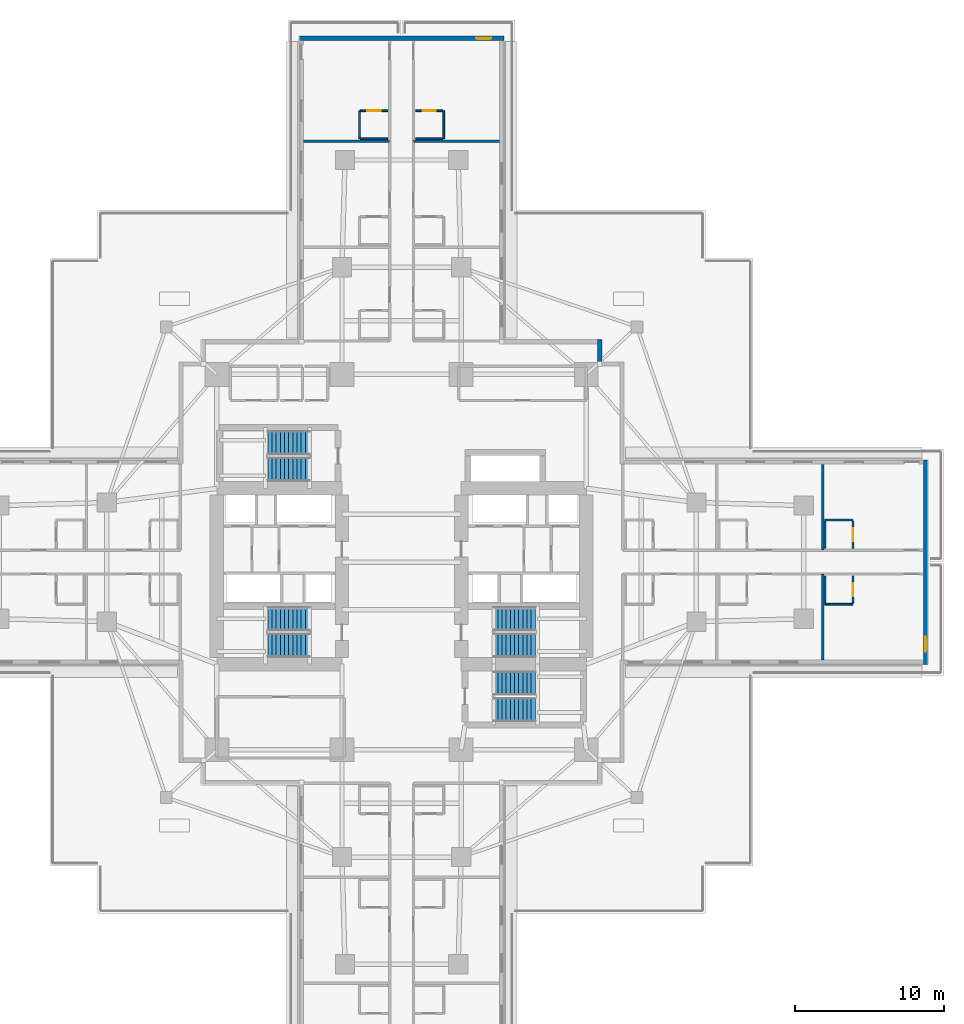
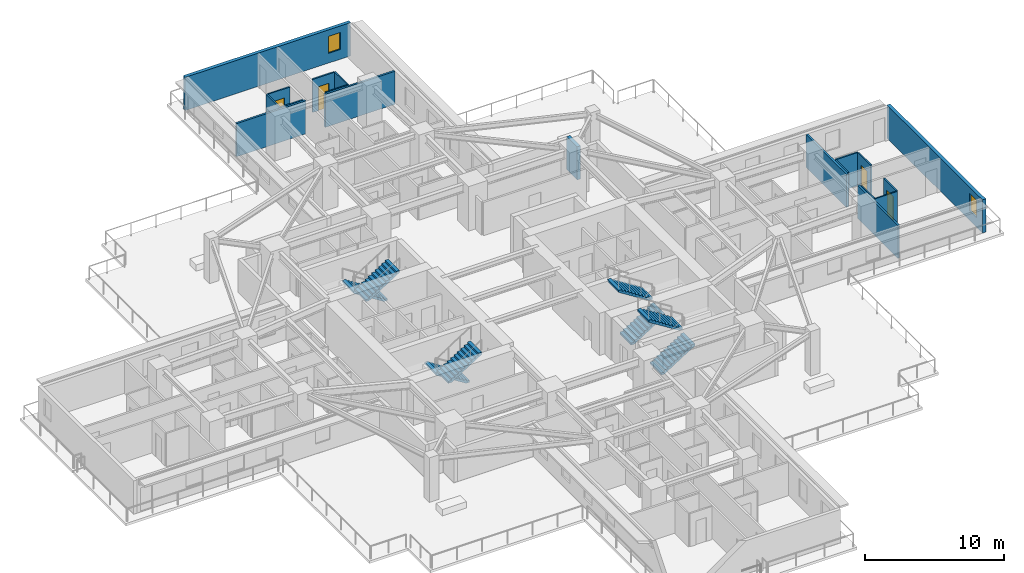
# One storey, part 9 of 15: 19 walls, 8 stair flights, 4 doors, 2 windows, 6 openings, 4 elements without a shape of their own.
"""IFC4 building model written with IfcOpenShell, lengths in metres."""

from ifc_helpers import new_model, si_unit, direction, frame, frame_2d, origin, place, context, subcontext, project, spatial, polyline, rectangle, outline, extrude, material, layer, layer_set, type_object, element, fill, aggregate, save


model = new_model("IFC4")

# Units and contexts
model_context = context("Model", 3, precision=1e-05, world=origin(), true_north=direction((0.0, 1.0)))
body_context = subcontext(model_context, "Body", "Model", "MODEL_VIEW")
ifc_project = project(units=[si_unit("LENGTHUNIT", "METRE"), si_unit("AREAUNIT", "SQUARE_METRE"), si_unit("VOLUMEUNIT", "CUBIC_METRE"), si_unit("PLANEANGLEUNIT", "RADIAN"), si_unit("MASSUNIT", "GRAM", prefix="KILO")], contexts=[model_context])

# Site, building, storey
site_placement = place(None, origin())
site = spatial("IfcSite", under=ifc_project, at=site_placement, CompositionType="ELEMENT")
building_placement = place(site_placement, origin())
building = spatial("IfcBuilding", under=site, at=building_placement, Name="Qingluan Cross Belvedere", CompositionType="ELEMENT")
storey_placement = place(building_placement, frame((0.0, 0.0, 23.699951171875)))
storey = spatial("IfcBuildingStorey", under=building, at=storey_placement, Name="L06", CompositionType="ELEMENT", Elevation=23.699951171875)

# Walls
ifc_material_1 = material(Name="Gypsum plasterboard on steel stud acoustic partition", Category="steel")
ifc_layer_1 = layer(ifc_material_1, 0.159912109375, Name="CorridorPartition_160")
ifc_layer_set_1 = layer_set([ifc_layer_1], Name="Gypsum plasterboard on steel stud acoustic partition")
wall_type_1 = type_object("IfcWallType", Name="CorridorPartition_160", PredefinedType="PARTITIONING", material=ifc_layer_set_1)
for number, where, z_axis, x_axis, name in (
    (1, (28.26806640625, 0.800048828125, 0.0), (0.0, 0.0, 1.0), (0.0, 1.0, 0.0), "Partition L06:E:d0_1"),
    (2, (28.26806640625, -0.800048828125, 0.0), (0.0, 0.0, 1.0), (0.0, -1.0, 0.0), "Partition L06:E:d1_1"),
    (3, (0.800048828125, 28.26806640625, 0.0), (0.0, 0.0, 1.0), (1.0, 0.0, 0.0), "Partition L06:N:d0_1"),
    (4, (-0.800048828125, 28.26806640625, 0.0), (0.0, 0.0, 1.0), (-1.0, 0.0, 0.0), "Partition L06:N:d1_1"),
):
    element("IfcWall", number, at=place(storey_placement, frame(where, z_axis=z_axis, x_axis=x_axis)), inside=storey, type_object=wall_type_1, Name=name, PredefinedType="PARTITIONING", context=body_context, shape_type="SweptSolid", body=[
        extrude(rectangle(XDim=5.77197265625, YDim=0.159912109375, at=frame_2d((2.885986328125, 0.0))), origin(), (0.0, 0.0, 1.0), 2.900146484375),
    ])

# Wall, opening, door
ifc_material_2 = material(Name="Moisture-resistant gypsum board lining")
ifc_layer_2 = layer(ifc_material_2, 0.1201171875, Name="EnsuiteWetPartition_120")
ifc_layer_set_2 = layer_set([ifc_layer_2], Name="Moisture-resistant gypsum board lining")
wall_type_2 = type_object("IfcWallType", Name="EnsuiteWetPartition_120", PredefinedType="PARTITIONING", material=ifc_layer_set_2)
wall_1_placement = place(storey_placement, frame((30.30810546875, 0.93994140625, 0.0), z_axis=(0.0, 0.0, 1.0), x_axis=(0.0, 1.0, 0.0)))
wall_1 = element("IfcWall", 5, at=wall_1_placement, inside=storey, type_object=wall_type_2, Name="Partition L06:E:bs0_2", PredefinedType="PARTITIONING", context=body_context, shape_type="SweptSolid", body=[
    extrude(rectangle(XDim=1.820068359375, YDim=0.1201171875, at=frame_2d((0.91015625, 0.0))), origin(), (0.0, 0.0, 1.0), 2.900146484375),
])
opening_1_placement = place(wall_1_placement, frame((0.469970703125, 0.0, 0.0)))
opening_1 = element("IfcOpeningElement", 6, at=opening_1_placement, cuts=wall_1, Name="Opening BD-09", PredefinedType="OPENING", context=body_context, shape_type="SweptSolid", body=[
    extrude(rectangle(XDim=0.8798828125, YDim=2.10009765625, at=frame_2d((0.43994140625, 1.050048828125))), frame((0.0, 0.070068359375, 0.0), z_axis=(0.0, -1.0, 0.0), x_axis=(1.0, 0.0, 0.0)), (0.0, 0.0, 1.0), 0.14013671875),
])
ifc_material_3 = material(Name="Moisture-sealed timber en-suite door", Category="wood")
door_type = type_object("IfcDoorType", Name="BathroomDoor_880", OperationType="NOTDEFINED", PredefinedType="DOOR", material=ifc_material_3)
door_1_placement = place(opening_1_placement, origin())
door_1 = element("IfcDoor", 7, at=door_1_placement, inside=storey, type_object=door_type, Name="Bathroom door 0603", OperationType="SINGLE_SWING_RIGHT", OverallHeight=2.10009765625, OverallWidth=0.8798828125, PredefinedType="DOOR", context=body_context, shape_type="SweptSolid", body=[
    extrude(rectangle(XDim=0.8798828125, YDim=2.10009765625, at=frame_2d((0.43994140625, 1.050048828125))), frame((0.0, 0.02490234375, 0.0), z_axis=(0.0, -1.0, 0.0), x_axis=(1.0, 0.0, 0.0)), (0.0, 0.0, 1.0), 0.050048828125),
])
fill(opening_1, door_1)

# Walls
wall_2_placement = place(storey_placement, frame((28.427978515625, 0.93994140625, 0.0), z_axis=(0.0, 0.0, 1.0), x_axis=(0.0, 1.0, 0.0)))
element("IfcWall", 8, at=wall_2_placement, inside=storey, type_object=wall_type_2, Name="Partition L06:E:bw0_2", PredefinedType="PARTITIONING", context=body_context, shape_type="SweptSolid", body=[
    extrude(rectangle(XDim=1.820068359375, YDim=0.1201171875, at=frame_2d((0.91015625, 0.0))), origin(), (0.0, 0.0, 1.0), 2.900146484375),
])
wall_3_placement = place(storey_placement, frame((28.427978515625, 2.824951171875, 0.0), z_axis=(0.0, 0.0, 1.0), x_axis=(1.0, 0.0, 0.0)))
element("IfcWall", 9, at=wall_3_placement, inside=storey, type_object=wall_type_2, Name="Partition L06:E:bn0_2", PredefinedType="PARTITIONING", context=body_context, shape_type="SweptSolid", body=[
    extrude(rectangle(XDim=1.880126953125, YDim=0.1201171875, at=frame_2d((0.93994140625, 0.0))), origin(), (0.0, 0.0, 1.0), 2.900146484375),
])

# Wall, opening, door
wall_4_placement = place(storey_placement, frame((30.30810546875, -2.760009765625, 0.0), z_axis=(0.0, 0.0, 1.0), x_axis=(0.0, 1.0, 0.0)))
wall_4 = element("IfcWall", 10, at=wall_4_placement, inside=storey, type_object=wall_type_2, Name="Partition L06:E:bs1_2", PredefinedType="PARTITIONING", context=body_context, shape_type="SweptSolid", body=[
    extrude(rectangle(XDim=1.820068359375, YDim=0.1201171875, at=frame_2d((0.91015625, 0.0))), origin(), (0.0, 0.0, 1.0), 2.900146484375),
])
opening_2_placement = place(wall_4_placement, frame((0.469970703125, 0.0, 0.0)))
opening_2 = element("IfcOpeningElement", 11, at=opening_2_placement, cuts=wall_4, Name="Opening BD-09", PredefinedType="OPENING", context=body_context, shape_type="SweptSolid", body=[
    extrude(rectangle(XDim=0.8798828125, YDim=2.10009765625, at=frame_2d((0.43994140625, 1.050048828125))), frame((0.0, 0.070068359375, 0.0), z_axis=(0.0, -1.0, 0.0), x_axis=(1.0, 0.0, 0.0)), (0.0, 0.0, 1.0), 0.14013671875),
])
door_2_placement = place(opening_2_placement, origin())
door_2 = element("IfcDoor", 12, at=door_2_placement, inside=storey, type_object=door_type, Name="Bathroom door 0606", OperationType="SINGLE_SWING_RIGHT", OverallHeight=2.10009765625, OverallWidth=0.8798828125, PredefinedType="DOOR", context=body_context, shape_type="SweptSolid", body=[
    extrude(rectangle(XDim=0.8798828125, YDim=2.10009765625, at=frame_2d((0.43994140625, 1.050048828125))), frame((0.0, 0.02490234375, 0.0), z_axis=(0.0, -1.0, 0.0), x_axis=(1.0, 0.0, 0.0)), (0.0, 0.0, 1.0), 0.050048828125),
])
fill(opening_2, door_2)

# Walls
wall_5_placement = place(storey_placement, frame((28.427978515625, -2.760009765625, 0.0), z_axis=(0.0, 0.0, 1.0), x_axis=(0.0, 1.0, 0.0)))
element("IfcWall", 13, at=wall_5_placement, inside=storey, type_object=wall_type_2, Name="Partition L06:E:bw1_2", PredefinedType="PARTITIONING", context=body_context, shape_type="SweptSolid", body=[
    extrude(rectangle(XDim=1.820068359375, YDim=0.1201171875, at=frame_2d((0.91015625, 0.0))), origin(), (0.0, 0.0, 1.0), 2.900146484375),
])
wall_6_placement = place(storey_placement, frame((28.427978515625, -2.824951171875, 0.0), z_axis=(0.0, 0.0, 1.0), x_axis=(1.0, 0.0, 0.0)))
element("IfcWall", 14, at=wall_6_placement, inside=storey, type_object=wall_type_2, Name="Partition L06:E:bc1_2", PredefinedType="PARTITIONING", context=body_context, shape_type="SweptSolid", body=[
    extrude(rectangle(XDim=1.880126953125, YDim=0.1201171875, at=frame_2d((0.93994140625, 0.0))), origin(), (0.0, 0.0, 1.0), 2.900146484375),
])

# Wall, opening, door
wall_7_placement = place(storey_placement, frame((0.93994140625, 30.30810546875, 0.0), z_axis=(0.0, 0.0, 1.0), x_axis=(1.0, 0.0, 0.0)))
wall_7 = element("IfcWall", 15, at=wall_7_placement, inside=storey, type_object=wall_type_2, Name="Partition L06:N:bs0_2", PredefinedType="PARTITIONING", context=body_context, shape_type="SweptSolid", body=[
    extrude(rectangle(XDim=1.820068359375, YDim=0.1201171875, at=frame_2d((0.91015625, 0.0))), origin(), (0.0, 0.0, 1.0), 2.900146484375),
])
opening_3_placement = place(wall_7_placement, frame((0.469970703125, 0.0, 0.0)))
opening_3 = element("IfcOpeningElement", 16, at=opening_3_placement, cuts=wall_7, Name="Opening BD-09", PredefinedType="OPENING", context=body_context, shape_type="SweptSolid", body=[
    extrude(rectangle(XDim=0.8798828125, YDim=2.10009765625, at=frame_2d((0.43994140625, 1.050048828125))), frame((0.0, 0.070068359375, 0.0), z_axis=(0.0, -1.0, 0.0), x_axis=(1.0, 0.0, 0.0)), (0.0, 0.0, 1.0), 0.14013671875),
])
door_3_placement = place(opening_3_placement, origin())
door_3 = element("IfcDoor", 17, at=door_3_placement, inside=storey, type_object=door_type, Name="Bathroom door 0615", OperationType="SINGLE_SWING_RIGHT", OverallHeight=2.10009765625, OverallWidth=0.8798828125, PredefinedType="DOOR", context=body_context, shape_type="SweptSolid", body=[
    extrude(rectangle(XDim=0.8798828125, YDim=2.10009765625, at=frame_2d((0.43994140625, 1.050048828125))), frame((0.0, 0.02490234375, 0.0), z_axis=(0.0, -1.0, 0.0), x_axis=(1.0, 0.0, 0.0)), (0.0, 0.0, 1.0), 0.050048828125),
])
fill(opening_3, door_3)

# Walls
wall_8_placement = place(storey_placement, frame((0.93994140625, 28.427978515625, 0.0), z_axis=(0.0, 0.0, 1.0), x_axis=(1.0, 0.0, 0.0)))
element("IfcWall", 18, at=wall_8_placement, inside=storey, type_object=wall_type_2, Name="Partition L06:N:bw0_2", PredefinedType="PARTITIONING", context=body_context, shape_type="SweptSolid", body=[
    extrude(rectangle(XDim=1.820068359375, YDim=0.1201171875, at=frame_2d((0.91015625, 0.0))), origin(), (0.0, 0.0, 1.0), 2.900146484375),
])
wall_9_placement = place(storey_placement, frame((2.824951171875, 28.427978515625, 0.0), z_axis=(0.0, 0.0, 1.0), x_axis=(0.0, 1.0, 0.0)))
element("IfcWall", 19, at=wall_9_placement, inside=storey, type_object=wall_type_2, Name="Partition L06:N:bn0_2", PredefinedType="PARTITIONING", context=body_context, shape_type="SweptSolid", body=[
    extrude(rectangle(XDim=1.880126953125, YDim=0.1201171875, at=frame_2d((0.93994140625, 0.0))), origin(), (0.0, 0.0, 1.0), 2.900146484375),
])

# Wall, opening, door
wall_10_placement = place(storey_placement, frame((-2.760009765625, 30.30810546875, 0.0), z_axis=(0.0, 0.0, 1.0), x_axis=(1.0, 0.0, 0.0)))
wall_10 = element("IfcWall", 20, at=wall_10_placement, inside=storey, type_object=wall_type_2, Name="Partition L06:N:bs1_2", PredefinedType="PARTITIONING", context=body_context, shape_type="SweptSolid", body=[
    extrude(rectangle(XDim=1.820068359375, YDim=0.1201171875, at=frame_2d((0.91015625, 0.0))), origin(), (0.0, 0.0, 1.0), 2.900146484375),
])
opening_4_placement = place(wall_10_placement, frame((0.469970703125, 0.0, 0.0)))
opening_4 = element("IfcOpeningElement", 21, at=opening_4_placement, cuts=wall_10, Name="Opening BD-09", PredefinedType="OPENING", context=body_context, shape_type="SweptSolid", body=[
    extrude(rectangle(XDim=0.8798828125, YDim=2.10009765625, at=frame_2d((0.43994140625, 1.050048828125))), frame((0.0, 0.070068359375, 0.0), z_axis=(0.0, -1.0, 0.0), x_axis=(1.0, 0.0, 0.0)), (0.0, 0.0, 1.0), 0.14013671875),
])
door_4_placement = place(opening_4_placement, origin())
door_4 = element("IfcDoor", 22, at=door_4_placement, inside=storey, type_object=door_type, Name="Bathroom door 0618", OperationType="SINGLE_SWING_RIGHT", OverallHeight=2.10009765625, OverallWidth=0.8798828125, PredefinedType="DOOR", context=body_context, shape_type="SweptSolid", body=[
    extrude(rectangle(XDim=0.8798828125, YDim=2.10009765625, at=frame_2d((0.43994140625, 1.050048828125))), frame((0.0, 0.02490234375, 0.0), z_axis=(0.0, -1.0, 0.0), x_axis=(1.0, 0.0, 0.0)), (0.0, 0.0, 1.0), 0.050048828125),
])
fill(opening_4, door_4)

# Walls
wall_11_placement = place(storey_placement, frame((-2.760009765625, 28.427978515625, 0.0), z_axis=(0.0, 0.0, 1.0), x_axis=(1.0, 0.0, 0.0)))
element("IfcWall", 23, at=wall_11_placement, inside=storey, type_object=wall_type_2, Name="Partition L06:N:bw1_2", PredefinedType="PARTITIONING", context=body_context, shape_type="SweptSolid", body=[
    extrude(rectangle(XDim=1.820068359375, YDim=0.1201171875, at=frame_2d((0.91015625, 0.0))), origin(), (0.0, 0.0, 1.0), 2.900146484375),
])
wall_12_placement = place(storey_placement, frame((-2.824951171875, 28.427978515625, 0.0), z_axis=(0.0, 0.0, 1.0), x_axis=(0.0, 1.0, 0.0)))
element("IfcWall", 24, at=wall_12_placement, inside=storey, type_object=wall_type_2, Name="Partition L06:N:bc1_2", PredefinedType="PARTITIONING", context=body_context, shape_type="SweptSolid", body=[
    extrude(rectangle(XDim=1.880126953125, YDim=0.1201171875, at=frame_2d((0.93994140625, 0.0))), origin(), (0.0, 0.0, 1.0), 2.900146484375),
])

# Wall, opening, window
ifc_material_4 = material(Name="Precast concrete C45", Category="concrete")
ifc_layer_3 = layer(ifc_material_4, 0.280029296875, Name="PrecastFacadeWall_280")
ifc_layer_set_3 = layer_set([ifc_layer_3], Name="Precast concrete C45")
wall_type_3 = type_object("IfcWallType", Name="PrecastFacadeWall_280", PredefinedType="STANDARD", material=ifc_layer_set_3)
wall_13_placement = place(storey_placement, frame((35.179931640625, -6.860107421875, 0.0), z_axis=(0.0, 0.0, 1.0), x_axis=(0.0, 1.0, 0.0)))
wall_13 = element("IfcWall", 25, at=wall_13_placement, inside=storey, type_object=wall_type_3, Name="Arm tip precast facade wall L06-E", PredefinedType="STANDARD", context=body_context, shape_type="SweptSolid", body=[
    extrude(rectangle(XDim=13.72021484375, YDim=0.280029296875, at=frame_2d((6.860107421875, 0.0))), origin(), (0.0, 0.0, 1.0), 2.91015625),
])
opening_5_placement = place(wall_13_placement, frame((0.85009765625, 0.0, 0.85009765625)))
opening_5 = element("IfcOpeningElement", 26, at=opening_5_placement, cuts=wall_13, Name="Opening W-03", PredefinedType="OPENING", context=body_context, shape_type="SweptSolid", body=[
    extrude(rectangle(XDim=1.0, YDim=1.5, at=frame_2d((0.5, 0.75))), frame((0.0, 0.14990234375, 0.0), z_axis=(0.0, -1.0, 0.0), x_axis=(1.0, 0.0, 0.0)), (0.0, 0.0, 1.0), 0.300048828125),
])
ifc_material_5 = material(Name="Thermally broken triple Low-E glass in aluminium frame", Category="aluminium")
window_type = type_object("IfcWindowType", Name="TriApexWin_1000x1500", PartitioningType="SINGLE_PANEL", PredefinedType="WINDOW", material=ifc_material_5)
window_1_placement = place(opening_5_placement, origin())
window_1 = element("IfcWindow", 27, at=window_1_placement, inside=storey, type_object=window_type, Name="Arm tip triangular window L06-E", OverallHeight=1.5, OverallWidth=1.0, PartitioningType="SINGLE_PANEL", PredefinedType="WINDOW", context=body_context, shape_type="SweptSolid", body=[
    extrude(rectangle(XDim=1.0, YDim=1.5, at=frame_2d((0.5, 0.75))), frame((0.0, 0.030029296875, 0.0), z_axis=(0.0, -1.0, 0.0), x_axis=(1.0, 0.0, 0.0)), (0.0, 0.0, 1.0), 0.06005859375),
])
fill(opening_5, window_1)

wall_14_placement = place(storey_placement, frame((6.860107421875, 35.179931640625, 0.0), z_axis=(0.0, 0.0, 1.0), x_axis=(-1.0, 0.0, 0.0)))
wall_14 = element("IfcWall", 28, at=wall_14_placement, inside=storey, type_object=wall_type_3, Name="Arm tip precast facade wall L06-N", PredefinedType="STANDARD", context=body_context, shape_type="SweptSolid", body=[
    extrude(rectangle(XDim=13.72021484375, YDim=0.280029296875, at=frame_2d((6.860107421875, 0.0))), origin(), (0.0, 0.0, 1.0), 2.91015625),
])
opening_6_placement = place(wall_14_placement, frame((0.85009765625, 0.0, 0.85009765625)))
opening_6 = element("IfcOpeningElement", 29, at=opening_6_placement, cuts=wall_14, Name="Opening W-03", PredefinedType="OPENING", context=body_context, shape_type="SweptSolid", body=[
    extrude(rectangle(XDim=1.0, YDim=1.5, at=frame_2d((0.5, 0.75))), frame((0.0, 0.14990234375, 0.0), z_axis=(0.0, -1.0, 0.0), x_axis=(1.0, 0.0, 0.0)), (0.0, 0.0, 1.0), 0.300048828125),
])
window_2_placement = place(opening_6_placement, origin())
window_2 = element("IfcWindow", 30, at=window_2_placement, inside=storey, type_object=window_type, Name="Arm tip triangular window L06-N", OverallHeight=1.5, OverallWidth=1.0, PartitioningType="SINGLE_PANEL", PredefinedType="WINDOW", context=body_context, shape_type="SweptSolid", body=[
    extrude(rectangle(XDim=1.0, YDim=1.5, at=frame_2d((0.5, 0.75))), frame((0.0, 0.030029296875, 0.0), z_axis=(0.0, -1.0, 0.0), x_axis=(1.0, 0.0, 0.0)), (0.0, 0.0, 1.0), 0.06005859375),
])
fill(opening_6, window_2)

# Wall
wall_15_placement = place(storey_placement, frame((13.300048828125, 13.43994140625, 0.0), z_axis=(0.0, 0.0, 1.0), x_axis=(0.0, 1.0, 0.0)))
element("IfcWall", 31, at=wall_15_placement, inside=storey, type_object=wall_type_3, Name="Corner wall L06-NE3", PredefinedType="STANDARD", context=body_context, shape_type="SweptSolid", body=[
    extrude(rectangle(XDim=1.5, YDim=0.280029296875, at=frame_2d((0.75, 0.0))), origin(), (0.0, 0.0, 1.0), 2.91015625),
])

# Stair, stair flights
ifc_material_6 = material(Name="Concrete C40", Category="concrete")
stair_type = type_object("IfcStairType", Name="CoreDoglegStair_1620", PredefinedType="HALF_TURN_STAIR", material=ifc_material_6)
stair_1_placement = place(storey_placement, origin())
stair_1 = element("IfcStair", 32, at=stair_1_placement, inside=storey, type_object=stair_type, Name="L06 ST1", PredefinedType="HALF_TURN_STAIR")
ifc_material_7 = material(Name="Concrete C40", Category="concrete")
ifc_layer_4 = layer(ifc_material_7, 0.179931640625, Name="StairFlight_RC180")
ifc_layer_set_4 = layer_set([ifc_layer_4], Name="Concrete C40")
stair_flight_type = type_object("IfcStairFlightType", Name="StairFlight_RC180", PredefinedType="STRAIGHT", material=ifc_layer_set_4)
stair_flight_1_placement = place(storey_placement, frame((-6.179931640625, -3.81005859375, 0.0), z_axis=(0.0, 0.0, 1.0), x_axis=(-1.0, 0.0, 0.0)))
stair_flight_1 = element("IfcStairFlight", 33, at=stair_flight_1_placement, type_object=stair_flight_type, Name="ST1 flight 1", NumberOfRisers=11, NumberOfTreads=10, PredefinedType="STRAIGHT", RiserHeight=0.177272727, TreadLength=0.28, context=body_context, shape_type="SweptSolid", body=[
    extrude(outline(polyline([(0.0, 0.0), (0.0, 0.17724609375), (0.280029296875, 0.17724609375), (0.280029296875, 0.3544921875), (0.56005859375, 0.3544921875), (0.56005859375, 0.53173828125), (0.840087890625, 0.53173828125), (0.840087890625, 0.708984375), (1.1201171875, 0.708984375), (1.1201171875, 0.886474609375), (1.39990234375, 0.886474609375), (1.39990234375, 1.063720703125), (1.679931640625, 1.063720703125), (1.679931640625, 1.240966796875), (1.9599609375, 1.240966796875), (1.9599609375, 1.418212890625), (2.239990234375, 1.418212890625), (2.239990234375, 1.595458984375), (2.52001953125, 1.595458984375), (2.52001953125, 1.772705078125), (2.800048828125, 1.772705078125), (2.800048828125, 1.949951171875), (2.800048828125, 1.59521484375), (0.2802734375, 0.0), (0.0, 0.0)])), frame((0.0, 0.81005859375, 0.0), z_axis=(0.0, -1.0, 0.0), x_axis=(1.0, 0.0, 0.0)), (0.0, 0.0, 1.0), 1.6201171875),
])
stair_flight_2_placement = place(storey_placement, frame((-8.97998046875, -5.590087890625, 1.949951171875), z_axis=(0.0, 0.0, 1.0), x_axis=(1.0, 0.0, 0.0)))
stair_flight_2 = element("IfcStairFlight", 34, at=stair_flight_2_placement, type_object=stair_flight_type, Name="ST1 flight 2", NumberOfRisers=11, NumberOfTreads=10, PredefinedType="STRAIGHT", RiserHeight=0.177272727, TreadLength=0.28, context=body_context, shape_type="SweptSolid", body=[
    extrude(outline(polyline([(0.0, 0.0), (0.0, 0.17724609375), (0.280029296875, 0.17724609375), (0.280029296875, 0.3544921875), (0.56005859375, 0.3544921875), (0.56005859375, 0.53173828125), (0.840087890625, 0.53173828125), (0.840087890625, 0.708984375), (1.1201171875, 0.708984375), (1.1201171875, 0.886474609375), (1.39990234375, 0.886474609375), (1.39990234375, 1.063720703125), (1.679931640625, 1.063720703125), (1.679931640625, 1.240966796875), (1.9599609375, 1.240966796875), (1.9599609375, 1.418212890625), (2.239990234375, 1.418212890625), (2.239990234375, 1.595458984375), (2.52001953125, 1.595458984375), (2.52001953125, 1.772705078125), (2.800048828125, 1.772705078125), (2.800048828125, 1.949951171875), (2.800048828125, 1.59521484375), (0.2802734375, 0.0), (0.0, 0.0)])), frame((0.0, 0.81005859375, 0.0), z_axis=(0.0, -1.0, 0.0), x_axis=(1.0, 0.0, 0.0)), (0.0, 0.0, 1.0), 1.6201171875),
])
aggregate(stair_1, [stair_flight_1, stair_flight_2])

stair_2_placement = place(storey_placement, origin())
stair_2 = element("IfcStair", 35, at=stair_2_placement, inside=storey, type_object=stair_type, Name="L06 ST2", PredefinedType="HALF_TURN_STAIR")
stair_flight_3_placement = place(storey_placement, frame((6.179931640625, -5.590087890625, 0.0), z_axis=(0.0, 0.0, 1.0), x_axis=(1.0, 0.0, 0.0)))
stair_flight_3 = element("IfcStairFlight", 36, at=stair_flight_3_placement, type_object=stair_flight_type, Name="ST2 flight 1", NumberOfRisers=11, NumberOfTreads=10, PredefinedType="STRAIGHT", RiserHeight=0.177272727, TreadLength=0.28, context=body_context, shape_type="SweptSolid", body=[
    extrude(outline(polyline([(0.0, 0.0), (0.0, 0.17724609375), (0.280029296875, 0.17724609375), (0.280029296875, 0.3544921875), (0.56005859375, 0.3544921875), (0.56005859375, 0.53173828125), (0.840087890625, 0.53173828125), (0.840087890625, 0.708984375), (1.1201171875, 0.708984375), (1.1201171875, 0.886474609375), (1.39990234375, 0.886474609375), (1.39990234375, 1.063720703125), (1.679931640625, 1.063720703125), (1.679931640625, 1.240966796875), (1.9599609375, 1.240966796875), (1.9599609375, 1.418212890625), (2.239990234375, 1.418212890625), (2.239990234375, 1.595458984375), (2.52001953125, 1.595458984375), (2.52001953125, 1.772705078125), (2.800048828125, 1.772705078125), (2.800048828125, 1.949951171875), (2.800048828125, 1.59521484375), (0.2802734375, 0.0), (0.0, 0.0)])), frame((0.0, 0.81005859375, 0.0), z_axis=(0.0, -1.0, 0.0), x_axis=(1.0, 0.0, 0.0)), (0.0, 0.0, 1.0), 1.6201171875),
])
stair_flight_4_placement = place(storey_placement, frame((8.97998046875, -3.81005859375, 1.949951171875), z_axis=(0.0, 0.0, 1.0), x_axis=(-1.0, 0.0, 0.0)))
stair_flight_4 = element("IfcStairFlight", 37, at=stair_flight_4_placement, type_object=stair_flight_type, Name="ST2 flight 2", NumberOfRisers=11, NumberOfTreads=10, PredefinedType="STRAIGHT", RiserHeight=0.177272727, TreadLength=0.28, context=body_context, shape_type="SweptSolid", body=[
    extrude(outline(polyline([(0.0, 0.0), (0.0, 0.17724609375), (0.280029296875, 0.17724609375), (0.280029296875, 0.3544921875), (0.56005859375, 0.3544921875), (0.56005859375, 0.53173828125), (0.840087890625, 0.53173828125), (0.840087890625, 0.708984375), (1.1201171875, 0.708984375), (1.1201171875, 0.886474609375), (1.39990234375, 0.886474609375), (1.39990234375, 1.063720703125), (1.679931640625, 1.063720703125), (1.679931640625, 1.240966796875), (1.9599609375, 1.240966796875), (1.9599609375, 1.418212890625), (2.239990234375, 1.418212890625), (2.239990234375, 1.595458984375), (2.52001953125, 1.595458984375), (2.52001953125, 1.772705078125), (2.800048828125, 1.772705078125), (2.800048828125, 1.949951171875), (2.800048828125, 1.59521484375), (0.2802734375, 0.0), (0.0, 0.0)])), frame((0.0, 0.81005859375, 0.0), z_axis=(0.0, -1.0, 0.0), x_axis=(1.0, 0.0, 0.0)), (0.0, 0.0, 1.0), 1.6201171875),
])
aggregate(stair_2, [stair_flight_3, stair_flight_4])

stair_3_placement = place(storey_placement, origin())
stair_3 = element("IfcStair", 38, at=stair_3_placement, inside=storey, type_object=stair_type, Name="L06 ST3", PredefinedType="HALF_TURN_STAIR")
stair_flight_5_placement = place(storey_placement, frame((-6.179931640625, 8.010009765625, 0.0), z_axis=(0.0, 0.0, 1.0), x_axis=(-1.0, 0.0, 0.0)))
stair_flight_5 = element("IfcStairFlight", 39, at=stair_flight_5_placement, type_object=stair_flight_type, Name="ST3 flight 1", NumberOfRisers=11, NumberOfTreads=10, PredefinedType="STRAIGHT", RiserHeight=0.177272727, TreadLength=0.28, context=body_context, shape_type="SweptSolid", body=[
    extrude(outline(polyline([(0.0, 0.0), (0.0, 0.17724609375), (0.280029296875, 0.17724609375), (0.280029296875, 0.3544921875), (0.56005859375, 0.3544921875), (0.56005859375, 0.53173828125), (0.840087890625, 0.53173828125), (0.840087890625, 0.708984375), (1.1201171875, 0.708984375), (1.1201171875, 0.886474609375), (1.39990234375, 0.886474609375), (1.39990234375, 1.063720703125), (1.679931640625, 1.063720703125), (1.679931640625, 1.240966796875), (1.9599609375, 1.240966796875), (1.9599609375, 1.418212890625), (2.239990234375, 1.418212890625), (2.239990234375, 1.595458984375), (2.52001953125, 1.595458984375), (2.52001953125, 1.772705078125), (2.800048828125, 1.772705078125), (2.800048828125, 1.949951171875), (2.800048828125, 1.59521484375), (0.2802734375, 0.0), (0.0, 0.0)])), frame((0.0, 0.81005859375, 0.0), z_axis=(0.0, -1.0, 0.0), x_axis=(1.0, 0.0, 0.0)), (0.0, 0.0, 1.0), 1.6201171875),
])
stair_flight_6_placement = place(storey_placement, frame((-8.97998046875, 6.22998046875, 1.949951171875), z_axis=(0.0, 0.0, 1.0), x_axis=(1.0, 0.0, 0.0)))
stair_flight_6 = element("IfcStairFlight", 40, at=stair_flight_6_placement, type_object=stair_flight_type, Name="ST3 flight 2", NumberOfRisers=11, NumberOfTreads=10, PredefinedType="STRAIGHT", RiserHeight=0.177272727, TreadLength=0.28, context=body_context, shape_type="SweptSolid", body=[
    extrude(outline(polyline([(0.0, 0.0), (0.0, 0.17724609375), (0.280029296875, 0.17724609375), (0.280029296875, 0.3544921875), (0.56005859375, 0.3544921875), (0.56005859375, 0.53173828125), (0.840087890625, 0.53173828125), (0.840087890625, 0.708984375), (1.1201171875, 0.708984375), (1.1201171875, 0.886474609375), (1.39990234375, 0.886474609375), (1.39990234375, 1.063720703125), (1.679931640625, 1.063720703125), (1.679931640625, 1.240966796875), (1.9599609375, 1.240966796875), (1.9599609375, 1.418212890625), (2.239990234375, 1.418212890625), (2.239990234375, 1.595458984375), (2.52001953125, 1.595458984375), (2.52001953125, 1.772705078125), (2.800048828125, 1.772705078125), (2.800048828125, 1.949951171875), (2.800048828125, 1.59521484375), (0.2802734375, 0.0), (0.0, 0.0)])), frame((0.0, 0.81005859375, 0.0), z_axis=(0.0, -1.0, 0.0), x_axis=(1.0, 0.0, 0.0)), (0.0, 0.0, 1.0), 1.6201171875),
])
aggregate(stair_3, [stair_flight_5, stair_flight_6])

stair_4_placement = place(storey_placement, origin())
stair_4 = element("IfcStair", 41, at=stair_4_placement, inside=storey, type_object=stair_type, Name="L06 ST4", PredefinedType="HALF_TURN_STAIR")
stair_flight_7_placement = place(storey_placement, frame((6.179931640625, -9.909912109375, 0.0), z_axis=(0.0, 0.0, 1.0), x_axis=(1.0, 0.0, 0.0)))
stair_flight_7 = element("IfcStairFlight", 42, at=stair_flight_7_placement, type_object=stair_flight_type, Name="ST4 flight 1", NumberOfRisers=11, NumberOfTreads=10, PredefinedType="STRAIGHT", RiserHeight=0.177272727, TreadLength=0.28, context=body_context, shape_type="SweptSolid", body=[
    extrude(outline(polyline([(0.0, 0.0), (0.0, 0.17724609375), (0.280029296875, 0.17724609375), (0.280029296875, 0.3544921875), (0.56005859375, 0.3544921875), (0.56005859375, 0.53173828125), (0.840087890625, 0.53173828125), (0.840087890625, 0.708984375), (1.1201171875, 0.708984375), (1.1201171875, 0.886474609375), (1.39990234375, 0.886474609375), (1.39990234375, 1.063720703125), (1.679931640625, 1.063720703125), (1.679931640625, 1.240966796875), (1.9599609375, 1.240966796875), (1.9599609375, 1.418212890625), (2.239990234375, 1.418212890625), (2.239990234375, 1.595458984375), (2.52001953125, 1.595458984375), (2.52001953125, 1.772705078125), (2.800048828125, 1.772705078125), (2.800048828125, 1.949951171875), (2.800048828125, 1.59521484375), (0.2802734375, 0.0), (0.0, 0.0)])), frame((0.0, 0.81005859375, 0.0), z_axis=(0.0, -1.0, 0.0), x_axis=(1.0, 0.0, 0.0)), (0.0, 0.0, 1.0), 1.6201171875),
])
stair_flight_8_placement = place(storey_placement, frame((8.97998046875, -8.1298828125, 1.949951171875), z_axis=(0.0, 0.0, 1.0), x_axis=(-1.0, 0.0, 0.0)))
stair_flight_8 = element("IfcStairFlight", 43, at=stair_flight_8_placement, type_object=stair_flight_type, Name="ST4 flight 2", NumberOfRisers=11, NumberOfTreads=10, PredefinedType="STRAIGHT", RiserHeight=0.177272727, TreadLength=0.28, context=body_context, shape_type="SweptSolid", body=[
    extrude(outline(polyline([(0.0, 0.0), (0.0, 0.17724609375), (0.280029296875, 0.17724609375), (0.280029296875, 0.3544921875), (0.56005859375, 0.3544921875), (0.56005859375, 0.53173828125), (0.840087890625, 0.53173828125), (0.840087890625, 0.708984375), (1.1201171875, 0.708984375), (1.1201171875, 0.886474609375), (1.39990234375, 0.886474609375), (1.39990234375, 1.063720703125), (1.679931640625, 1.063720703125), (1.679931640625, 1.240966796875), (1.9599609375, 1.240966796875), (1.9599609375, 1.418212890625), (2.239990234375, 1.418212890625), (2.239990234375, 1.595458984375), (2.52001953125, 1.595458984375), (2.52001953125, 1.772705078125), (2.800048828125, 1.772705078125), (2.800048828125, 1.949951171875), (2.800048828125, 1.59521484375), (0.2802734375, 0.0), (0.0, 0.0)])), frame((0.0, 0.81005859375, 0.0), z_axis=(0.0, -1.0, 0.0), x_axis=(1.0, 0.0, 0.0)), (0.0, 0.0, 1.0), 1.6201171875),
])
aggregate(stair_4, [stair_flight_7, stair_flight_8])

save(model, "model.ifc")
